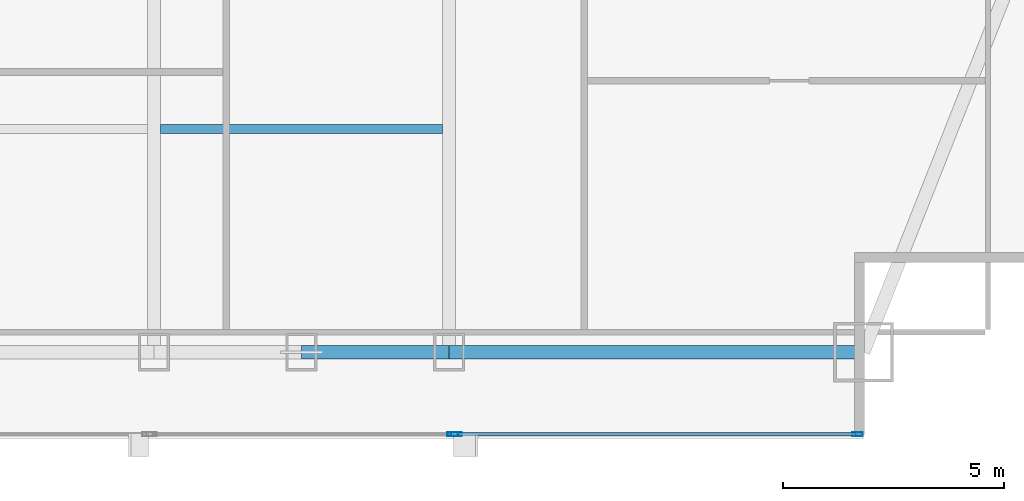
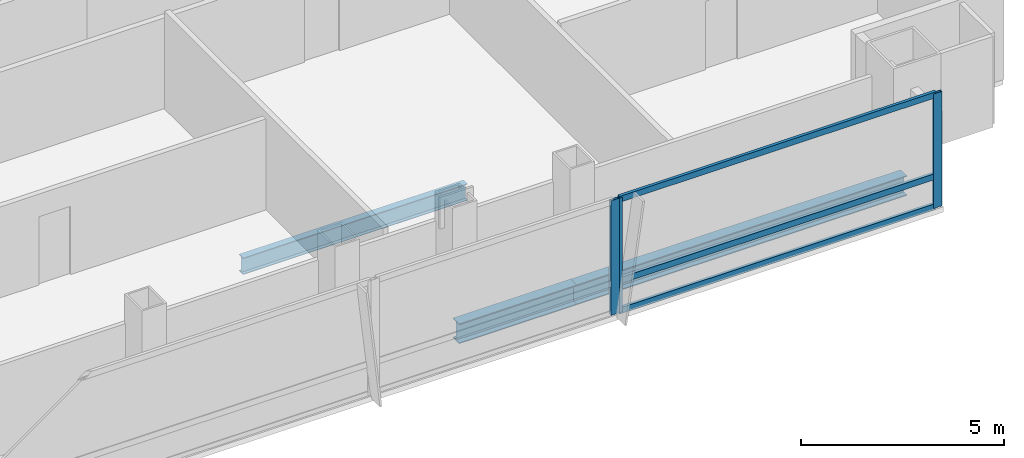
# One storey, part 15 of 29: 6 members, 3 beams, 2 elements without a shape of their own.
"""IFC4 building model written with IfcOpenShell, lengths in metres."""

from ifc_helpers import new_model, si_unit, direction, frame, origin, origin_2d, place, context, subcontext, project, spatial, hollow_rectangle, i_section, extrude, material, material_profile, profile_set, type_object, element, aggregate, save


model = new_model("IFC4")

# Units and contexts
model_context = context("Model", 3, precision=1e-05, world=origin(), true_north=direction((0.0, 1.0)))
body_context = subcontext(model_context, "Body", "Model", "MODEL_VIEW")
ifc_project = project(units=[si_unit("LENGTHUNIT", "METRE"), si_unit("AREAUNIT", "SQUARE_METRE"), si_unit("VOLUMEUNIT", "CUBIC_METRE"), si_unit("PLANEANGLEUNIT", "RADIAN"), si_unit("MASSUNIT", "GRAM", prefix="KILO")], contexts=[model_context])

# Site, building, storey
site_placement = place(None, origin())
site = spatial("IfcSite", under=ifc_project, at=site_placement, CompositionType="ELEMENT")
building_placement = place(site_placement, origin())
building = spatial("IfcBuilding", under=site, at=building_placement, Name="Khoronbel Lancet Exchange", CompositionType="ELEMENT")
storey_placement = place(building_placement, frame((0.0, 0.0, 165.0)))
storey = spatial("IfcBuildingStorey", under=building, at=storey_placement, Name="L41", CompositionType="ELEMENT", Elevation=165.0)

# Beams
ifc_material_1 = material(Name="Steel S355", Category="steel")
ifc_material_profile_1 = material_profile(ifc_material_1, i_section(OverallWidth=0.199951171875, OverallDepth=0.5, WebThickness=0.01025390625, FlangeThickness=0.01611328125, at=origin_2d()), Name="IPE 500")
ifc_profile_set_1 = profile_set([ifc_material_profile_1], Name="Steel S355")
beam_type_1 = type_object("IfcBeamType", Name="BM-BJ3", PredefinedType="JOIST", material=ifc_profile_set_1)
beam_1_placement = place(storey_placement, frame((48.14990234375, 15.199951171875, -0.409912109375), z_axis=(1.0, 0.0, 0.0), x_axis=(0.0, 1.0, 0.0)))
element("IfcBeam", 1, at=beam_1_placement, inside=storey, type_object=beam_type_1, Name="Level L41 secondary composite joist J05", PredefinedType="JOIST", context=body_context, shape_type="SweptSolid", body=[
    extrude(i_section(OverallWidth=0.199951171875, OverallDepth=0.5, WebThickness=0.01025390625, FlangeThickness=0.01611328125, at=origin_2d()), origin(), (0.0, 0.0, 1.0), 6.375),
])
ifc_material_profile_2 = material_profile(ifc_material_1, i_section(OverallWidth=0.300048828125, OverallDepth=0.60009765625, WebThickness=0.015380859375, FlangeThickness=0.030029296875, at=origin_2d()), Name="HEB 600")
ifc_profile_set_2 = profile_set([ifc_material_profile_2], Name="Steel S355")
beam_type_2 = type_object("IfcBeamType", Name="BM-BSP2", PredefinedType="SPANDREL", material=ifc_profile_set_2)
beam_2_placement = place(storey_placement, frame((51.33740234375, 10.14990234375, -0.4599609375), z_axis=(1.0, 0.0, 0.0), x_axis=(0.0, 1.0, 0.0)))
element("IfcBeam", 2, at=beam_2_placement, inside=storey, type_object=beam_type_2, Name="Level L41 perimeter spandrel beam SP08", PredefinedType="SPANDREL", context=body_context, shape_type="SweptSolid", body=[
    extrude(i_section(OverallWidth=0.300048828125, OverallDepth=0.60009765625, WebThickness=0.015380859375, FlangeThickness=0.030029296875, at=origin_2d()), origin(), (0.0, 0.0, 1.0), 3.337646484375),
])
beam_3_placement = place(storey_placement, frame((54.675048828125, 10.14990234375, -0.4599609375), z_axis=(1.0, 0.0, 0.0), x_axis=(0.0, 1.0, 0.0)))
element("IfcBeam", 3, at=beam_3_placement, inside=storey, type_object=beam_type_2, Name="Level L41 perimeter spandrel beam SP09", PredefinedType="SPANDREL", context=body_context, shape_type="SweptSolid", body=[
    extrude(i_section(OverallWidth=0.300048828125, OverallDepth=0.60009765625, WebThickness=0.015380859375, FlangeThickness=0.030029296875, at=origin_2d()), origin(), (0.0, 0.0, 1.0), 9.375),
])

# Curtain wall, member
ifc_material_2 = material(Name="Low-E Solar Control Insulating Glass", Category="glass")
curtain_wall_type = type_object("IfcCurtainWallType", Name="CW-3", PredefinedType="NOTDEFINED", material=ifc_material_2)
curtain_wall_1_placement = place(storey_placement, origin())
curtain_wall_1 = element("IfcCurtainWall", 4, at=curtain_wall_1_placement, inside=storey, type_object=curtain_wall_type, Name="Unitised curtain wall CW-L41-SEB", PredefinedType="NOTDEFINED")
ifc_material_3 = material(Name="Bronze-Anodised Aluminium 6063-T6", Category="aluminium")
ifc_material_profile_3 = material_profile(ifc_material_3, hollow_rectangle(XDim=0.0849609375, YDim=0.239990234375, WallThickness=0.006103515625, at=origin_2d()), Name="ALU MULLION 85x240")
ifc_profile_set_3 = profile_set([ifc_material_profile_3], Name="Bronze-Anodised Aluminium 6063-T6")
member_type_1 = type_object("IfcMemberType", Name="MEM-CWM1", PredefinedType="MULLION", material=ifc_profile_set_3)
member_1_placement = place(storey_placement, frame((54.757568359375, 8.2900390625, 0.0), z_axis=(0.0, 0.0, 1.0), x_axis=(0.0, 1.0, 0.0)))
member_1 = element("IfcMember", 5, at=member_1_placement, type_object=member_type_1, Name="CW3 mullion 2", PredefinedType="MULLION", context=body_context, shape_type="SweptSolid", body=[
    extrude(hollow_rectangle(XDim=0.0849609375, YDim=0.239990234375, WallThickness=0.006103515625, at=origin_2d()), origin(), (0.0, 0.0, 1.0), 3.43994140625),
])
aggregate(curtain_wall_1, [member_1])

# Curtain wall, members
curtain_wall_2_placement = place(storey_placement, origin())
curtain_wall_2 = element("IfcCurtainWall", 6, at=curtain_wall_2_placement, inside=storey, type_object=curtain_wall_type, Name="Unitised curtain wall CW-L41-SEV", PredefinedType="NOTDEFINED")
member_2_placement = place(storey_placement, frame((54.842529296875, 8.2900390625, 0.0), z_axis=(0.0, 0.0, 1.0), x_axis=(0.0, 1.0, 0.0)))
member_2 = element("IfcMember", 7, at=member_2_placement, type_object=member_type_1, Name="CW3 mullion 1", PredefinedType="MULLION", context=body_context, shape_type="SweptSolid", body=[
    extrude(hollow_rectangle(XDim=0.0849609375, YDim=0.239990234375, WallThickness=0.006103515625, at=origin_2d()), origin(), (0.0, 0.0, 1.0), 3.43994140625),
])
member_3_placement = place(storey_placement, frame((63.91748046875, 8.2900390625, 0.0), z_axis=(0.0, 0.0, 1.0), x_axis=(0.0, 1.0, 0.0)))
member_3 = element("IfcMember", 8, at=member_3_placement, type_object=member_type_1, Name="CW3 mullion 2", PredefinedType="MULLION", context=body_context, shape_type="SweptSolid", body=[
    extrude(hollow_rectangle(XDim=0.0849609375, YDim=0.239990234375, WallThickness=0.006103515625, at=origin_2d()), origin(), (0.0, 0.0, 1.0), 3.43994140625),
])
ifc_material_profile_4 = material_profile(ifc_material_3, hollow_rectangle(XDim=0.0849609375, YDim=0.179931640625, WallThickness=0.0048828125, at=origin_2d()), Name="ALU TRANSOM 85x180")
ifc_profile_set_4 = profile_set([ifc_material_profile_4], Name="Bronze-Anodised Aluminium 6063-T6")
member_type_2 = type_object("IfcMemberType", Name="MEM-CWT1", PredefinedType="USERDEFINED", material=ifc_profile_set_4)
member_4_placement = place(storey_placement, frame((54.885009765625, 8.2900390625, 0.04248046875), z_axis=(1.0, 0.0, 0.0), x_axis=(0.0, 1.0, 0.0)))
member_4 = element("IfcMember", 9, at=member_4_placement, type_object=member_type_2, Name="CW3 transom 1.1", ObjectType="TRANSOM", PredefinedType="USERDEFINED", context=body_context, shape_type="SweptSolid", body=[
    extrude(hollow_rectangle(XDim=0.0849609375, YDim=0.179931640625, WallThickness=0.0048828125, at=origin_2d()), origin(), (0.0, 0.0, 1.0), 8.989990234375),
])
member_5_placement = place(storey_placement, frame((54.885009765625, 8.2900390625, 0.949951171875), z_axis=(1.0, 0.0, 0.0), x_axis=(0.0, 1.0, 0.0)))
member_5 = element("IfcMember", 10, at=member_5_placement, type_object=member_type_2, Name="CW3 transom 1.2", ObjectType="TRANSOM", PredefinedType="USERDEFINED", context=body_context, shape_type="SweptSolid", body=[
    extrude(hollow_rectangle(XDim=0.0849609375, YDim=0.179931640625, WallThickness=0.0048828125, at=origin_2d()), origin(), (0.0, 0.0, 1.0), 8.989990234375),
])
member_6_placement = place(storey_placement, frame((54.885009765625, 8.2900390625, 3.3974609375), z_axis=(1.0, 0.0, 0.0), x_axis=(0.0, 1.0, 0.0)))
member_6 = element("IfcMember", 11, at=member_6_placement, type_object=member_type_2, Name="CW3 transom 1.3", ObjectType="TRANSOM", PredefinedType="USERDEFINED", context=body_context, shape_type="SweptSolid", body=[
    extrude(hollow_rectangle(XDim=0.0849609375, YDim=0.179931640625, WallThickness=0.0048828125, at=origin_2d()), origin(), (0.0, 0.0, 1.0), 8.989990234375),
])
aggregate(curtain_wall_2, [member_2, member_3, member_4, member_5, member_6])

save(model, "model.ifc")
